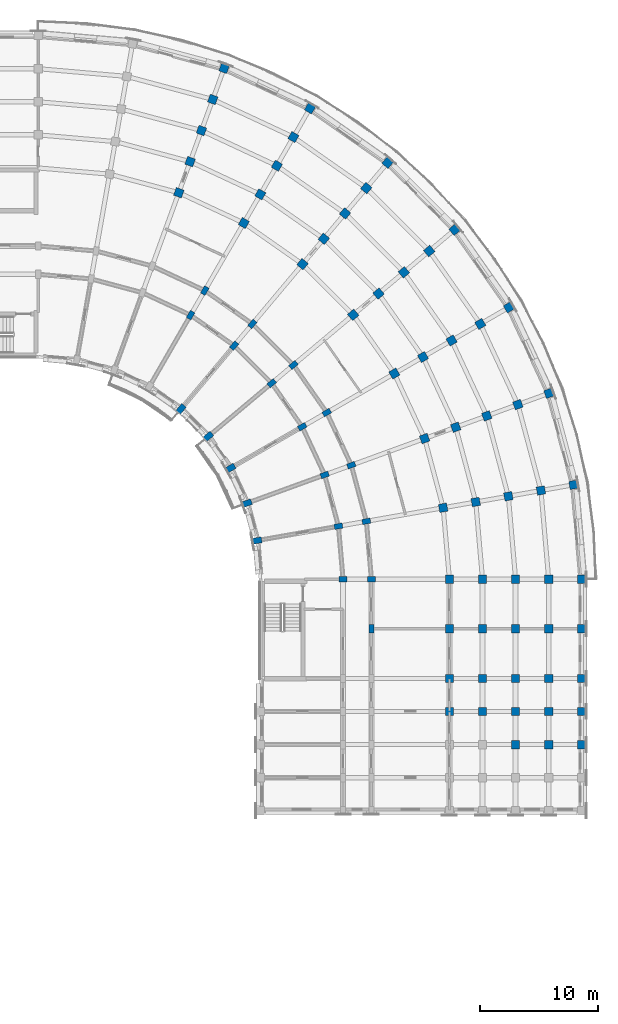
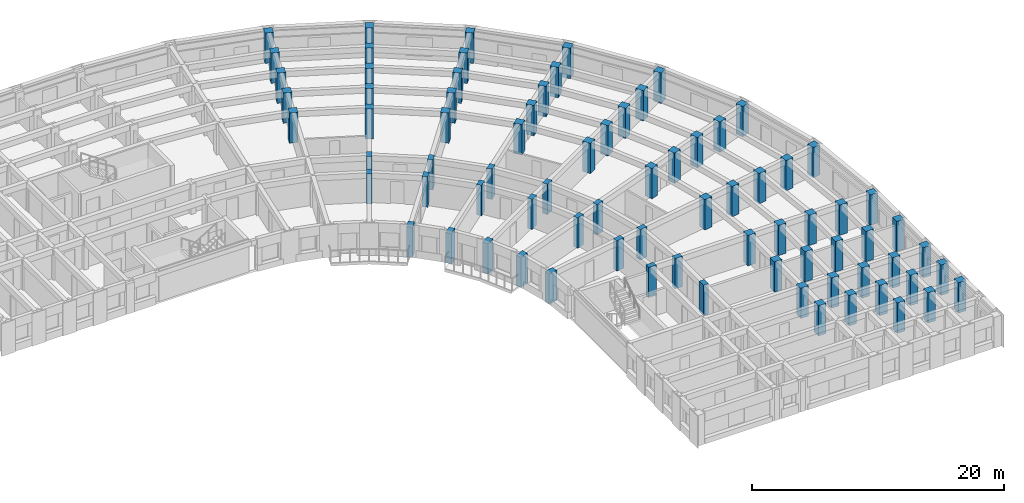
# One storey, part 3 of 57: 78 columns.
"""IFC4 building model written with IfcOpenShell, lengths in metres."""

from ifc_helpers import new_model, si_unit, direction, frame, origin, origin_2d, place, context, subcontext, project, spatial, rectangle, extrude, material, material_profile, profile_set, type_object, element, save


model = new_model("IFC4")

# Units and contexts
model_context = context("Model", 3, precision=1e-05, world=origin(), true_north=direction((0.0, 1.0)))
body_context = subcontext(model_context, "Body", "Model", "MODEL_VIEW")
ifc_project = project(units=[si_unit("LENGTHUNIT", "METRE"), si_unit("AREAUNIT", "SQUARE_METRE"), si_unit("VOLUMEUNIT", "CUBIC_METRE"), si_unit("PLANEANGLEUNIT", "RADIAN"), si_unit("MASSUNIT", "GRAM", prefix="KILO")], contexts=[model_context])

# Site, building, storey
site_placement = place(None, origin())
site = spatial("IfcSite", under=ifc_project, at=site_placement, CompositionType="ELEMENT")
building_placement = place(site_placement, origin())
building = spatial("IfcBuilding", under=site, at=building_placement, Name="Kiranvali Square Residences", CompositionType="ELEMENT")
storey_placement = place(building_placement, frame((0.0, 0.0, 24.449951171875)))
storey = spatial("IfcBuildingStorey", under=building, at=storey_placement, Name="L07", CompositionType="ELEMENT", Elevation=24.449951171875)

# Columns
ifc_material_1 = material(Name="Concrete M45 (45 MPa)", Category="concrete")
ifc_material_profile_1 = material_profile(ifc_material_1, rectangle(XDim=0.699951171875, YDim=0.699951171875, at=origin_2d()), Name="RC 700x700")
ifc_profile_set_1 = profile_set([ifc_material_profile_1], Name="Concrete M45 (45 MPa)")
column_type_1 = type_object("IfcColumnType", Name="COL-M45-700", PredefinedType="COLUMN", material=ifc_profile_set_1)
for number, where, z_axis, x_axis, name in (
    (1, (131.702392578125, 120.501220703125, 0.0), (0.0, 0.0, 1.0), (-0.939692620786, 0.342020143326, 0.0), "Block B L07 radial column A02-R3"),
    (2, (132.659912109375, 123.13232421875, 0.0), (0.0, 0.0, 1.0), (-0.939692620786, 0.342020143326, 0.0), "Block B L07 radial column A02-R4"),
    (3, (133.61767578125, 125.763671875, 0.0), (0.0, 0.0, 1.0), (-0.939692620786, 0.342020143326, 0.0), "Block B L07 radial column A02-R5"),
    (4, (134.5751953125, 128.394775390625, 0.0), (0.0, 0.0, 1.0), (-0.939692620786, 0.342020143326, 0.0), "Block B L07 radial column A02-R6"),
    (5, (135.532958984375, 131.02587890625, 0.0), (0.0, 0.0, 1.0), (-0.939692620786, 0.342020143326, 0.0), "Block B L07 radial column A02-R7"),
    (6, (137.199951171875, 117.937744140625, 0.0), (0.0, 0.0, 1.0), (-0.866025403784, 0.5, 0.0), "Block B L07 radial column A03-R3"),
    (7, (138.60009765625, 120.362548828125, 0.0), (0.0, 0.0, 1.0), (-0.866025403784, 0.5, 0.0), "Block B L07 radial column A03-R4"),
    (8, (140.0, 122.787353515625, 0.0), (0.0, 0.0, 1.0), (-0.866025403784, 0.5, 0.0), "Block B L07 radial column A03-R5"),
    (9, (141.39990234375, 125.21240234375, 0.0), (0.0, 0.0, 1.0), (-0.866025403784, 0.5, 0.0), "Block B L07 radial column A03-R6"),
    (10, (142.800048828125, 127.63720703125, 0.0), (0.0, 0.0, 1.0), (-0.866025403784, 0.5, 0.0), "Block B L07 radial column A03-R7"),
    (11, (142.1689453125, 114.458251953125, 0.0), (0.0, 0.0, 1.0), (-0.766044443119, 0.642787609687, 0.0), "Block B L07 radial column A04-R3"),
    (12, (143.96875, 116.603271484375, 0.0), (0.0, 0.0, 1.0), (-0.766044443119, 0.642787609687, 0.0), "Block B L07 radial column A04-R4"),
    (13, (145.7685546875, 118.748291015625, 0.0), (0.0, 0.0, 1.0), (-0.766044443119, 0.642787609687, 0.0), "Block B L07 radial column A04-R5"),
    (14, (147.568359375, 120.89306640625, 0.0), (0.0, 0.0, 1.0), (-0.766044443119, 0.642787609687, 0.0), "Block B L07 radial column A04-R6"),
    (15, (149.3681640625, 123.0380859375, 0.0), (0.0, 0.0, 1.0), (-0.766044443119, 0.642787609687, 0.0), "Block B L07 radial column A04-R7"),
    (16, (146.458251953125, 110.1689453125, 0.0), (0.0, 0.0, 1.0), (-0.642787609687, 0.766044443119, 0.0), "Block B L07 radial column A05-R3"),
    (17, (148.603271484375, 111.96875, 0.0), (0.0, 0.0, 1.0), (-0.642787609687, 0.766044443119, 0.0), "Block B L07 radial column A05-R4"),
    (18, (150.748291015625, 113.7685546875, 0.0), (0.0, 0.0, 1.0), (-0.642787609687, 0.766044443119, 0.0), "Block B L07 radial column A05-R5"),
    (19, (152.89306640625, 115.568359375, 0.0), (0.0, 0.0, 1.0), (-0.642787609687, 0.766044443119, 0.0), "Block B L07 radial column A05-R6"),
    (20, (155.0380859375, 117.3681640625, 0.0), (0.0, 0.0, 1.0), (-0.642787609687, 0.766044443119, 0.0), "Block B L07 radial column A05-R7"),
    (21, (149.937744140625, 105.199951171875, 0.0), (0.0, 0.0, 1.0), (-0.5, 0.866025403784, 0.0), "Block B L07 radial column A06-R3"),
    (22, (152.362548828125, 106.60009765625, 0.0), (0.0, 0.0, 1.0), (-0.5, 0.866025403784, 0.0), "Block B L07 radial column A06-R4"),
    (23, (154.787353515625, 108.0, 0.0), (0.0, 0.0, 1.0), (-0.5, 0.866025403784, 0.0), "Block B L07 radial column A06-R5"),
    (24, (157.21240234375, 109.39990234375, 0.0), (0.0, 0.0, 1.0), (-0.5, 0.866025403784, 0.0), "Block B L07 radial column A06-R6"),
    (25, (159.63720703125, 110.800048828125, 0.0), (0.0, 0.0, 1.0), (-0.5, 0.866025403784, 0.0), "Block B L07 radial column A06-R7"),
    (26, (152.501220703125, 99.702392578125, 0.0), (0.0, 0.0, 1.0), (-0.342020143326, 0.939692620786, 0.0), "Block B L07 radial column A07-R3"),
    (27, (155.13232421875, 100.659912109375, 0.0), (0.0, 0.0, 1.0), (-0.342020143326, 0.939692620786, 0.0), "Block B L07 radial column A07-R4"),
    (28, (157.763671875, 101.61767578125, 0.0), (0.0, 0.0, 1.0), (-0.342020143326, 0.939692620786, 0.0), "Block B L07 radial column A07-R5"),
    (29, (160.394775390625, 102.5751953125, 0.0), (0.0, 0.0, 1.0), (-0.342020143326, 0.939692620786, 0.0), "Block B L07 radial column A07-R6"),
    (30, (163.02587890625, 103.532958984375, 0.0), (0.0, 0.0, 1.0), (-0.342020143326, 0.939692620786, 0.0), "Block B L07 radial column A07-R7"),
    (31, (154.0712890625, 93.843017578125, 0.0), (0.0, 0.0, 1.0), (-0.173648177667, 0.984807753012, 0.0), "Block B L07 radial column A08-R3"),
    (32, (156.828857421875, 94.3291015625, 0.0), (0.0, 0.0, 1.0), (-0.173648177667, 0.984807753012, 0.0), "Block B L07 radial column A08-R4"),
    (33, (159.586181640625, 94.8154296875, 0.0), (0.0, 0.0, 1.0), (-0.173648177667, 0.984807753012, 0.0), "Block B L07 radial column A08-R5"),
    (34, (162.34375, 95.301513671875, 0.0), (0.0, 0.0, 1.0), (-0.173648177667, 0.984807753012, 0.0), "Block B L07 radial column A08-R6"),
    (35, (165.10107421875, 95.787841796875, 0.0), (0.0, 0.0, 1.0), (-0.173648177667, 0.984807753012, 0.0), "Block B L07 radial column A08-R7"),
    (36, (154.60009765625, 87.800048828125, 0.0), (0.0, 0.0, 1.0), (0.0, 1.0, 0.0), "Block B L07 radial column A09-R3"),
    (37, (157.39990234375, 87.800048828125, 0.0), (0.0, 0.0, 1.0), (0.0, 1.0, 0.0), "Block B L07 radial column A09-R4"),
    (38, (160.199951171875, 87.800048828125, 0.0), (0.0, 0.0, 1.0), (0.0, 1.0, 0.0), "Block B L07 radial column A09-R5"),
    (39, (163.0, 87.800048828125, 0.0), (0.0, 0.0, 1.0), (0.0, 1.0, 0.0), "Block B L07 radial column A09-R6"),
    (40, (165.800048828125, 87.800048828125, 0.0), (0.0, 0.0, 1.0), (0.0, 1.0, 0.0), "Block B L07 radial column A09-R7"),
    (41, (154.60009765625, 83.60009765625, 0.0), (0.0, 0.0, 1.0), (1.0, 0.0, 0.0), "Block B L07 Arm 2 mid-core column V0-R3"),
    (42, (157.39990234375, 83.60009765625, 0.0), (0.0, 0.0, 1.0), (1.0, 0.0, 0.0), "Block B L07 Arm 2 mid-core column V0-R4"),
    (43, (160.199951171875, 83.60009765625, 0.0), (0.0, 0.0, 1.0), (1.0, 0.0, 0.0), "Block B L07 Arm 2 mid-core column V0-R5"),
    (44, (163.0, 83.60009765625, 0.0), (0.0, 0.0, 1.0), (1.0, 0.0, 0.0), "Block B L07 Arm 2 mid-core column V0-R6"),
    (45, (165.800048828125, 83.60009765625, 0.0), (0.0, 0.0, 1.0), (1.0, 0.0, 0.0), "Block B L07 Arm 2 mid-core column V0-R7"),
    (46, (154.60009765625, 79.39990234375, 0.0), (0.0, 0.0, 1.0), (1.0, 0.0, 0.0), "Block B L07 Arm 2 column V1-R3"),
    (47, (157.39990234375, 79.39990234375, 0.0), (0.0, 0.0, 1.0), (1.0, 0.0, 0.0), "Block B L07 Arm 2 column V1-R4"),
    (48, (160.199951171875, 79.39990234375, 0.0), (0.0, 0.0, 1.0), (1.0, 0.0, 0.0), "Block B L07 Arm 2 column V1-R5"),
    (49, (163.0, 79.39990234375, 0.0), (0.0, 0.0, 1.0), (1.0, 0.0, 0.0), "Block B L07 Arm 2 column V1-R6"),
    (50, (165.800048828125, 79.39990234375, 0.0), (0.0, 0.0, 1.0), (1.0, 0.0, 0.0), "Block B L07 Arm 2 column V1-R7"),
    (51, (154.60009765625, 76.60009765625, 0.0), (0.0, 0.0, 1.0), (1.0, 0.0, 0.0), "Block B L07 Arm 2 column V2-R3"),
    (52, (157.39990234375, 76.60009765625, 0.0), (0.0, 0.0, 1.0), (1.0, 0.0, 0.0), "Block B L07 Arm 2 column V2-R4"),
    (53, (160.199951171875, 76.60009765625, 0.0), (0.0, 0.0, 1.0), (1.0, 0.0, 0.0), "Block B L07 Arm 2 column V2-R5"),
    (54, (163.0, 76.60009765625, 0.0), (0.0, 0.0, 1.0), (1.0, 0.0, 0.0), "Block B L07 Arm 2 column V2-R6"),
    (55, (165.800048828125, 76.60009765625, 0.0), (0.0, 0.0, 1.0), (1.0, 0.0, 0.0), "Block B L07 Arm 2 column V2-R7"),
    (56, (160.199951171875, 73.800048828125, 0.0), (0.0, 0.0, 1.0), (1.0, 0.0, 0.0), "Block B L07 Arm 2 column V3-R5"),
    (57, (163.0, 73.800048828125, 0.0), (0.0, 0.0, 1.0), (1.0, 0.0, 0.0), "Block B L07 Arm 2 column V3-R6"),
    (58, (165.800048828125, 73.800048828125, 0.0), (0.0, 0.0, 1.0), (1.0, 0.0, 0.0), "Block B L07 Arm 2 column V3-R7"),
):
    element("IfcColumn", number, at=place(storey_placement, frame(where, z_axis=z_axis, x_axis=x_axis)), inside=storey, type_object=column_type_1, Name=name, PredefinedType="COLUMN", context=body_context, shape_type="SweptSolid", body=[
        extrude(rectangle(XDim=0.699951171875, YDim=0.699951171875, at=origin_2d()), origin(), (0.0, 0.0, 1.0), 2.929931640625),
    ])
ifc_material_profile_2 = material_profile(ifc_material_1, rectangle(XDim=0.449951171875, YDim=0.699951171875, at=origin_2d()), Name="RC 700x450")
ifc_profile_set_2 = profile_set([ifc_material_profile_2], Name="Concrete M45 (45 MPa)")
column_type_2 = type_object("IfcColumnType", Name="COL-M45-700x450", PredefinedType="COLUMN", material=ifc_profile_set_2)
for number, where, z_axis, x_axis, name in (
    (59, (132.699951171875, 110.1435546875, 0.0), (0.0, 0.0, 1.0), (-0.866025403784, 0.5, 0.0), "Block B L07 radial column A03-R1"),
    (60, (133.89990234375, 112.221923828125, 0.0), (0.0, 0.0, 1.0), (-0.866025403784, 0.5, 0.0), "Block B L07 radial column A03-R2"),
    (61, (136.384033203125, 107.56396484375, 0.0), (0.0, 0.0, 1.0), (-0.766044443119, 0.642787609687, 0.0), "Block B L07 radial column A04-R1"),
    (62, (137.926513671875, 109.40234375, 0.0), (0.0, 0.0, 1.0), (-0.766044443119, 0.642787609687, 0.0), "Block B L07 radial column A04-R2"),
    (63, (139.56396484375, 104.384033203125, 0.0), (0.0, 0.0, 1.0), (-0.642787609687, 0.766044443119, 0.0), "Block B L07 radial column A05-R1"),
    (64, (141.40234375, 105.926513671875, 0.0), (0.0, 0.0, 1.0), (-0.642787609687, 0.766044443119, 0.0), "Block B L07 radial column A05-R2"),
    (65, (142.1435546875, 100.699951171875, 0.0), (0.0, 0.0, 1.0), (-0.5, 0.866025403784, 0.0), "Block B L07 radial column A06-R1"),
    (66, (144.221923828125, 101.89990234375, 0.0), (0.0, 0.0, 1.0), (-0.5, 0.866025403784, 0.0), "Block B L07 radial column A06-R2"),
    (67, (144.044189453125, 96.6240234375, 0.0), (0.0, 0.0, 1.0), (-0.342020143326, 0.939692620786, 0.0), "Block B L07 radial column A07-R1"),
    (68, (146.29931640625, 97.445068359375, 0.0), (0.0, 0.0, 1.0), (-0.342020143326, 0.939692620786, 0.0), "Block B L07 radial column A07-R2"),
    (69, (145.2080078125, 92.280029296875, 0.0), (0.0, 0.0, 1.0), (-0.173648177667, 0.984807753012, 0.0), "Block B L07 radial column A08-R1"),
    (70, (147.571533203125, 92.69677734375, 0.0), (0.0, 0.0, 1.0), (-0.173648177667, 0.984807753012, 0.0), "Block B L07 radial column A08-R2"),
    (71, (145.60009765625, 87.800048828125, 0.0), (0.0, 0.0, 1.0), (0.0, 1.0, 0.0), "Block B L07 radial column A09-R1"),
    (72, (148.0, 87.800048828125, 0.0), (0.0, 0.0, 1.0), (0.0, 1.0, 0.0), "Block B L07 radial column A09-R2"),
    (73, (148.0, 83.60009765625, 0.0), (0.0, 0.0, 1.0), (1.0, 0.0, 0.0), "Block B L07 Arm 2 mid-core column V0-R2"),
):
    element("IfcColumn", number, at=place(storey_placement, frame(where, z_axis=z_axis, x_axis=x_axis)), inside=storey, type_object=column_type_2, Name=name, PredefinedType="COLUMN", context=body_context, shape_type="SweptSolid", body=[
        extrude(rectangle(XDim=0.449951171875, YDim=0.699951171875, at=origin_2d()), origin(), (0.0, 0.0, 1.0), 2.929931640625),
    ])
ifc_material_2 = material(Name="Concrete M50 (50 MPa)", Category="concrete")
ifc_material_profile_3 = material_profile(ifc_material_2, rectangle(XDim=0.5, YDim=0.800048828125, at=origin_2d()), Name="RC 800x500")
ifc_profile_set_3 = profile_set([ifc_material_profile_3], Name="Concrete M50 (50 MPa)")
column_type_3 = type_object("IfcColumnType", Name="COL-M50-800x500", PredefinedType="COLUMN", material=ifc_profile_set_3)
for number, where, z_axis, x_axis, name in (
    (74, (131.884521484375, 102.20166015625, 0.0), (0.0, 0.0, 1.0), (-0.766044443119, 0.642787609687, 0.0), "Block B L07 radial column A04-R0"),
    (75, (134.20166015625, 99.884521484375, 0.0), (0.0, 0.0, 1.0), (-0.642787609687, 0.766044443119, 0.0), "Block B L07 radial column A05-R0"),
    (76, (136.081298828125, 97.199951171875, 0.0), (0.0, 0.0, 1.0), (-0.5, 0.866025403784, 0.0), "Block B L07 radial column A06-R0"),
    (77, (137.46630859375, 94.22998046875, 0.0), (0.0, 0.0, 1.0), (-0.342020143326, 0.939692620786, 0.0), "Block B L07 radial column A07-R0"),
    (78, (138.314453125, 91.064697265625, 0.0), (0.0, 0.0, 1.0), (-0.173648177667, 0.984807753012, 0.0), "Block B L07 radial column A08-R0"),
):
    element("IfcColumn", number, at=place(storey_placement, frame(where, z_axis=z_axis, x_axis=x_axis)), inside=storey, type_object=column_type_3, Name=name, PredefinedType="COLUMN", context=body_context, shape_type="SweptSolid", body=[
        extrude(rectangle(XDim=0.5, YDim=0.800048828125, at=origin_2d()), origin(), (0.0, 0.0, 1.0), 2.929931640625),
    ])

save(model, "model.ifc")
